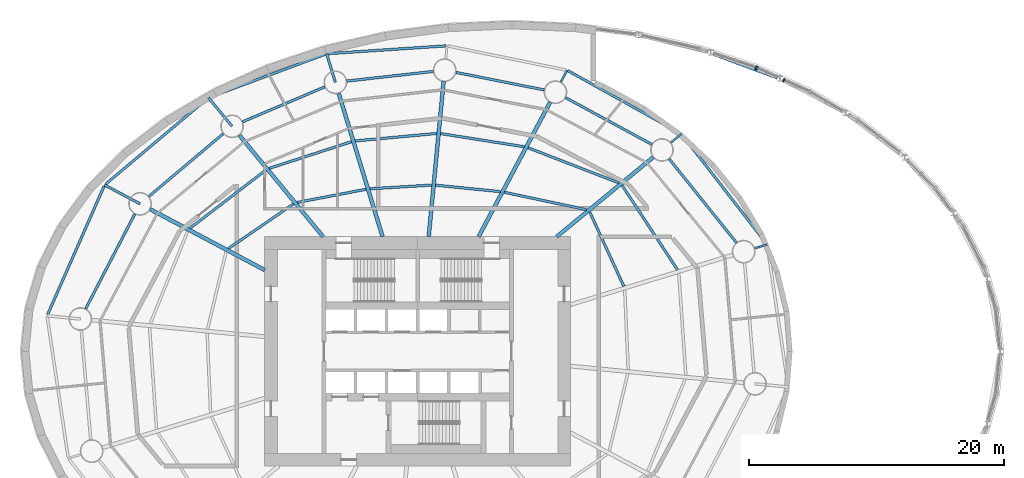
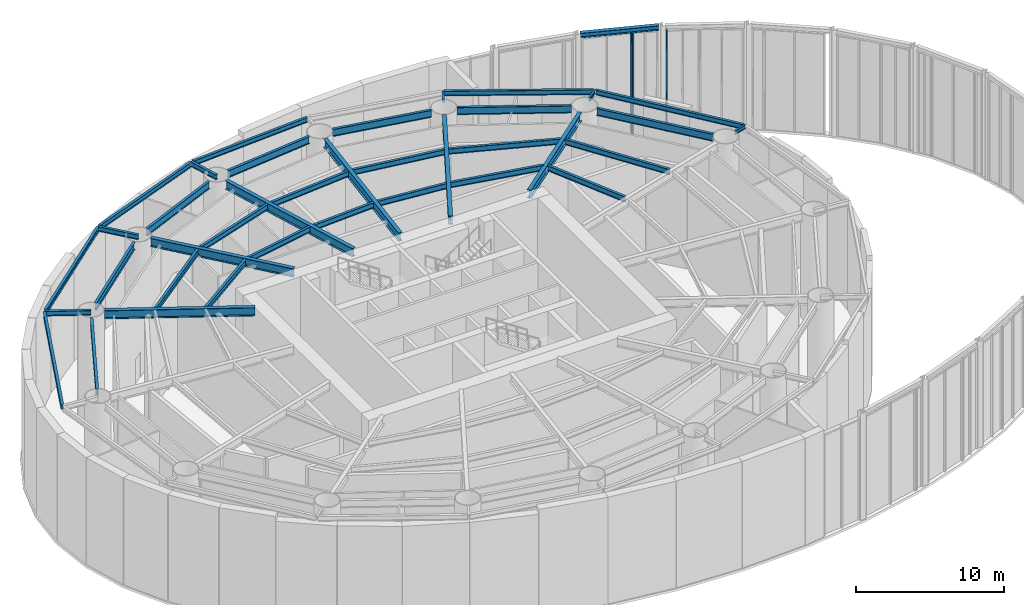
# One storey, part 6 of 19: 38 beams, 3 members, 3 elements without a shape of their own.
"""IFC4 building model written with IfcOpenShell, lengths in metres."""

from ifc_helpers import new_model, si_unit, direction, frame, origin, origin_2d, place, context, subcontext, project, spatial, rectangle, i_section, extrude, material, material_profile, profile_set, type_object, element, aggregate, save


model = new_model("IFC4")

# Units and contexts
model_context = context("Model", 3, precision=1e-05, world=origin(), true_north=direction((0.0, 1.0)))
body_context = subcontext(model_context, "Body", "Model", "MODEL_VIEW")
ifc_project = project(units=[si_unit("LENGTHUNIT", "METRE"), si_unit("AREAUNIT", "SQUARE_METRE"), si_unit("VOLUMEUNIT", "CUBIC_METRE"), si_unit("PLANEANGLEUNIT", "RADIAN"), si_unit("MASSUNIT", "GRAM", prefix="KILO")], contexts=[model_context])

# Site, building, storey
site_placement = place(None, origin())
site = spatial("IfcSite", under=ifc_project, at=site_placement, CompositionType="ELEMENT")
building_placement = place(site_placement, origin())
building = spatial("IfcBuilding", under=site, at=building_placement, Name="Vermilion Reach Broadcast Tower", CompositionType="ELEMENT")
storey_placement = place(building_placement, frame((0.0, 0.0, 17.0)))
storey = spatial("IfcBuildingStorey", under=building, at=storey_placement, Name="L02", CompositionType="ELEMENT", Elevation=17.0)

# Curtain wall, member
ifc_material_1 = material(Name="Low-e laminated clear glass in aluminium frame", Category="aluminium")
curtain_wall_type = type_object("IfcCurtainWallType", Name="Atrium outer wall curtain wall", PredefinedType="NOTDEFINED", material=ifc_material_1)
placement = place(storey_placement, origin())
curtain_wall_1 = element("IfcCurtainWall", 1, at=placement, inside=storey, type_object=curtain_wall_type, Name="Atrium wall L02 19-1", PredefinedType="NOTDEFINED")
ifc_material_2 = material(Name="Anodised aluminium", Category="aluminium")
ifc_material_profile_1 = material_profile(ifc_material_2, rectangle(XDim=0.300048828125, YDim=0.10009765625, at=origin_2d()), Name="Atrium outer wall mullion 100 x 300")
ifc_profile_set_1 = profile_set([ifc_material_profile_1], Name="Anodised aluminium")
member_type = type_object("IfcMemberType", Name="Atrium outer wall mullion 100 x 300", PredefinedType="MULLION", material=ifc_profile_set_1)
member_1_placement = place(storey_placement, frame((22.726806640625, 21.276123046875, 0.0), z_axis=(0.0, 0.0, 1.0), x_axis=(-0.410407876277, -0.911902064418, 0.0)))
member_1 = element("IfcMember", 2, at=member_1_placement, type_object=member_type, Name="Atrium wall mullion L02 19-1.3", PredefinedType="MULLION", context=body_context, shape_type="SweptSolid", body=[
    extrude(rectangle(XDim=0.300048828125, YDim=0.10009765625, at=origin_2d()), origin(), (0.0, 0.0, 1.0), 8.409912109375),
])
aggregate(curtain_wall_1, [member_1])

curtain_wall_2 = element("IfcCurtainWall", 3, at=placement, inside=storey, type_object=curtain_wall_type, Name="Atrium wall L02 19-2", PredefinedType="NOTDEFINED")
member_2_placement = place(storey_placement, frame((20.636962890625, 22.216552734375, 0.0), z_axis=(0.0, 0.0, 1.0), x_axis=(-0.410407876277, -0.911902064418, 0.0)))
member_2 = element("IfcMember", 4, at=member_2_placement, type_object=member_type, Name="Atrium wall mullion L02 19-2.3", PredefinedType="MULLION", context=body_context, shape_type="SweptSolid", body=[
    extrude(rectangle(XDim=0.300048828125, YDim=0.10009765625, at=origin_2d()), origin(), (0.0, 0.0, 1.0), 8.409912109375),
])
aggregate(curtain_wall_2, [member_2])

curtain_wall_3 = element("IfcCurtainWall", 5, at=placement, inside=storey, type_object=curtain_wall_type, Name="Atrium wall L02 20-1", PredefinedType="NOTDEFINED")
member_3_placement = place(storey_placement, frame((20.5439453125, 22.2529296875, 0.0), z_axis=(0.0, 0.0, 1.0), x_axis=(-0.315228098746, -0.949015935462, 0.0)))
member_3 = element("IfcMember", 6, at=member_3_placement, type_object=member_type, Name="Atrium wall mullion L02 20-1.1", PredefinedType="MULLION", context=body_context, shape_type="SweptSolid", body=[
    extrude(rectangle(XDim=0.300048828125, YDim=0.10009765625, at=origin_2d()), origin(), (0.0, 0.0, 1.0), 8.409912109375),
])
aggregate(curtain_wall_3, [member_3])

# Beams
ifc_material_3 = material(Name="Steel S355J2", Category="steel")
ifc_material_profile_2 = material_profile(ifc_material_3, i_section(OverallWidth=0.199951171875, OverallDepth=0.39990234375, WebThickness=0.008056640625, FlangeThickness=0.012939453125, at=origin_2d()), Name="S355J2 HN 400x200x8x13")
ifc_profile_set_2 = profile_set([ifc_material_profile_2], Name="Steel S355J2")
beam_type_1 = type_object("IfcBeamType", Name="EB1 HN 400x200x8x13", PredefinedType="BEAM", material=ifc_profile_set_2)
beam_1_placement = place(storey_placement, frame((21.365234375, 8.449951171875, 8.60009765625), z_axis=(-0.612374307057, 0.790567965488, 0.0), x_axis=(-0.790567965488, -0.612374307057, 0.0)))
element("IfcBeam", 7, at=beam_1_placement, inside=storey, type_object=beam_type_1, Name="Edge beam EB1-01", PredefinedType="BEAM", context=body_context, shape_type="SweptSolid", body=[
    extrude(i_section(OverallWidth=0.199951171875, OverallDepth=0.39990234375, WebThickness=0.008056640625, FlangeThickness=0.012939453125, at=origin_2d()), origin(), (0.0, 0.0, 1.0), 10.821044921875),
])
beam_2_placement = place(storey_placement, frame((14.62255859375, 17.10302734375, 8.60009765625), z_axis=(-0.873686455295, 0.486489442674, 0.0), x_axis=(-0.486489442674, -0.873686455295, 0.0)))
element("IfcBeam", 8, at=beam_2_placement, inside=storey, type_object=beam_type_1, Name="Edge beam EB1-02", PredefinedType="BEAM", context=body_context, shape_type="SweptSolid", body=[
    extrude(i_section(OverallWidth=0.199951171875, OverallDepth=0.39990234375, WebThickness=0.008056640625, FlangeThickness=0.012939453125, at=origin_2d()), origin(), (0.0, 0.0, 1.0), 10.110595703125),
])
beam_3_placement = place(storey_placement, frame((-3.771484375, 23.97119140625, 8.60009765625), z_axis=(-0.997825669163, -0.065908527213, 0.0), x_axis=(0.065908527213, -0.997825669163, 0.0)))
element("IfcBeam", 9, at=beam_3_placement, inside=storey, type_object=beam_type_1, Name="Edge beam EB1-04", PredefinedType="BEAM", context=body_context, shape_type="SweptSolid", body=[
    extrude(i_section(OverallWidth=0.199951171875, OverallDepth=0.39990234375, WebThickness=0.008056640625, FlangeThickness=0.012939453125, at=origin_2d()), origin(), (0.0, 0.0, 1.0), 9.290283203125),
])
beam_4_placement = place(storey_placement, frame((-13.23779296875, 23.3173828125, 8.60009765625), z_axis=(-0.9372716621, -0.348599815582, 0.0), x_axis=(0.348599815582, -0.9372716621, 0.0)))
element("IfcBeam", 10, at=beam_4_placement, inside=storey, type_object=beam_type_1, Name="Edge beam EB1-05", PredefinedType="BEAM", context=body_context, shape_type="SweptSolid", body=[
    extrude(i_section(OverallWidth=0.199951171875, OverallDepth=0.39990234375, WebThickness=0.008056640625, FlangeThickness=0.012939453125, at=origin_2d()), origin(), (0.0, 0.0, 1.0), 9.684326171875),
])
beam_5_placement = place(storey_placement, frame((-22.490478515625, 19.840087890625, 8.60009765625), z_axis=(-0.765453208317, -0.643491558513, 0.0), x_axis=(0.643491558513, -0.765453208317, 0.0)))
element("IfcBeam", 11, at=beam_5_placement, inside=storey, type_object=beam_type_1, Name="Edge beam EB1-06", PredefinedType="BEAM", context=body_context, shape_type="SweptSolid", body=[
    extrude(i_section(OverallWidth=0.199951171875, OverallDepth=0.39990234375, WebThickness=0.008056640625, FlangeThickness=0.012939453125, at=origin_2d()), origin(), (0.0, 0.0, 1.0), 10.437255859375),
])
beam_6_placement = place(storey_placement, frame((-30.6025390625, 12.962646484375, 8.60009765625), z_axis=(-0.402751254677, -0.915309470538, 0.0), x_axis=(0.915309470538, -0.402751254677, 0.0)))
element("IfcBeam", 12, at=beam_6_placement, inside=storey, type_object=beam_type_1, Name="Edge beam EB1-07", PredefinedType="BEAM", context=body_context, shape_type="SweptSolid", body=[
    extrude(i_section(OverallWidth=0.199951171875, OverallDepth=0.39990234375, WebThickness=0.008056640625, FlangeThickness=0.012939453125, at=origin_2d()), origin(), (0.0, 0.0, 1.0), 11.00341796875),
])
ifc_material_4 = material(Name="Steel S355J2", Category="steel")
ifc_material_profile_3 = material_profile(ifc_material_4, i_section(OverallWidth=0.300048828125, OverallDepth=0.699951171875, WebThickness=0.012939453125, FlangeThickness=0.02392578125, at=origin_2d()), Name="S355J2 HN 700x300x13x24")
ifc_profile_set_3 = profile_set([ifc_material_profile_3], Name="Steel S355J2")
beam_type_2 = type_object("IfcBeamType", Name="G1 HN 700x300x13x24", PredefinedType="BEAM", material=ifc_profile_set_3)
beam_7_placement = place(storey_placement, frame((4.9140625, 9.0, 8.449951171875), z_axis=(0.771514256373, 0.636212034005, 0.0), x_axis=(-0.636212034005, 0.771514256373, 0.0)))
element("IfcBeam", 13, at=beam_7_placement, inside=storey, type_object=beam_type_2, Name="Girder G1-02", PredefinedType="BEAM", context=body_context, shape_type="SweptSolid", body=[
    extrude(i_section(OverallWidth=0.300048828125, OverallDepth=0.699951171875, WebThickness=0.012939453125, FlangeThickness=0.02392578125, at=origin_2d()), origin(), (0.0, 0.0, 1.0), 9.796142578125),
])
beam_8_placement = place(storey_placement, frame((-1.216552734375, 9.0, 8.449951171875), z_axis=(0.469312182262, 0.883032318537, 0.0), x_axis=(-0.883032318537, 0.469312182262, 0.0)))
element("IfcBeam", 14, at=beam_8_placement, inside=storey, type_object=beam_type_2, Name="Girder G1-03", PredefinedType="BEAM", context=body_context, shape_type="SweptSolid", body=[
    extrude(i_section(OverallWidth=0.300048828125, OverallDepth=0.699951171875, WebThickness=0.012939453125, FlangeThickness=0.02392578125, at=origin_2d()), origin(), (0.0, 0.0, 1.0), 11.94091796875),
])
beam_9_placement = place(storey_placement, frame((-5.135009765625, 9.0, 8.449951171875), z_axis=(0.09566673912, 0.995413419151, 0.0), x_axis=(-0.995413419151, 0.09566673912, 0.0)))
element("IfcBeam", 15, at=beam_9_placement, inside=storey, type_object=beam_type_2, Name="Girder G1-04", PredefinedType="BEAM", context=body_context, shape_type="SweptSolid", body=[
    extrude(i_section(OverallWidth=0.300048828125, OverallDepth=0.699951171875, WebThickness=0.012939453125, FlangeThickness=0.02392578125, at=origin_2d()), origin(), (0.0, 0.0, 1.0), 12.22412109375),
])
beam_10_placement = place(storey_placement, frame((-8.753173828125, 9.0, 8.449951171875), z_axis=(-0.292542302886, 0.95625258223, 0.0), x_axis=(-0.95625258223, -0.292542302886, 0.0)))
element("IfcBeam", 16, at=beam_10_placement, inside=storey, type_object=beam_type_2, Name="Girder G1-05", PredefinedType="BEAM", context=body_context, shape_type="SweptSolid", body=[
    extrude(i_section(OverallWidth=0.300048828125, OverallDepth=0.699951171875, WebThickness=0.012939453125, FlangeThickness=0.02392578125, at=origin_2d()), origin(), (0.0, 0.0, 1.0), 11.76220703125),
])
beam_11_placement = place(storey_placement, frame((-13.421630859375, 9.0, 8.449951171875), z_axis=(-0.636215165107, 0.77151167437, 0.0), x_axis=(-0.77151167437, -0.636215165107, 0.0)))
element("IfcBeam", 17, at=beam_11_placement, inside=storey, type_object=beam_type_2, Name="Girder G1-06", PredefinedType="BEAM", context=body_context, shape_type="SweptSolid", body=[
    extrude(i_section(OverallWidth=0.300048828125, OverallDepth=0.699951171875, WebThickness=0.012939453125, FlangeThickness=0.02392578125, at=origin_2d()), origin(), (0.0, 0.0, 1.0), 10.3251953125),
])
beam_12_placement = place(storey_placement, frame((-18.0, 6.3779296875, 8.449951171875), z_axis=(-0.883032139419, 0.469312519279, 0.0), x_axis=(-0.469312519279, -0.883032139419, 0.0)))
element("IfcBeam", 18, at=beam_12_placement, inside=storey, type_object=beam_type_2, Name="Girder G1-07", PredefinedType="BEAM", context=body_context, shape_type="SweptSolid", body=[
    extrude(i_section(OverallWidth=0.300048828125, OverallDepth=0.699951171875, WebThickness=0.012939453125, FlangeThickness=0.02392578125, at=origin_2d()), origin(), (0.0, 0.0, 1.0), 10.17529296875),
])
ifc_material_5 = material(Name="Steel S355J2", Category="steel")
ifc_material_profile_4 = material_profile(ifc_material_5, i_section(OverallWidth=0.199951171875, OverallDepth=0.39990234375, WebThickness=0.008056640625, FlangeThickness=0.012939453125, at=origin_2d()), Name="S355J2 HN 400x200x8x13")
ifc_profile_set_4 = profile_set([ifc_material_profile_4], Name="Steel S355J2")
beam_type_3 = type_object("IfcBeamType", Name="GC1 HN 400x200x8x13", PredefinedType="BEAM", material=ifc_profile_set_4)
beam_13_placement = place(storey_placement, frame((-12.45751953125, 21.108154296875, 8.60009765625), z_axis=(-0.292535678809, 0.956254608681, 0.0), x_axis=(-0.956254608681, -0.292535678809, 0.0)))
element("IfcBeam", 19, at=beam_13_placement, inside=storey, type_object=beam_type_3, Name="Cantilever girder GC1-05", PredefinedType="BEAM", context=body_context, shape_type="SweptSolid", body=[
    extrude(i_section(OverallWidth=0.199951171875, OverallDepth=0.39990234375, WebThickness=0.008056640625, FlangeThickness=0.012939453125, at=origin_2d()), origin(), (0.0, 0.0, 1.0), 2.346923828125),
])
beam_14_placement = place(storey_placement, frame((-20.563232421875, 17.660400390625, 8.60009765625), z_axis=(-0.636213137876, 0.771513346089, 0.0), x_axis=(-0.771513346089, -0.636213137876, 0.0)))
element("IfcBeam", 20, at=beam_14_placement, inside=storey, type_object=beam_type_3, Name="Cantilever girder GC1-06", PredefinedType="BEAM", context=body_context, shape_type="SweptSolid", body=[
    extrude(i_section(OverallWidth=0.199951171875, OverallDepth=0.39990234375, WebThickness=0.008056640625, FlangeThickness=0.012939453125, at=origin_2d()), origin(), (0.0, 0.0, 1.0), 2.90869140625),
])
beam_15_placement = place(storey_placement, frame((-27.77978515625, 11.57568359375, 8.60009765625), z_axis=(-0.8830404704, 0.469296843837, 0.0), x_axis=(-0.469296843837, -0.8830404704, 0.0)))
element("IfcBeam", 21, at=beam_15_placement, inside=storey, type_object=beam_type_3, Name="Cantilever girder GC1-07", PredefinedType="BEAM", context=body_context, shape_type="SweptSolid", body=[
    extrude(i_section(OverallWidth=0.199951171875, OverallDepth=0.39990234375, WebThickness=0.008056640625, FlangeThickness=0.012939453125, at=origin_2d()), origin(), (0.0, 0.0, 1.0), 3.151123046875),
])
ifc_material_6 = material(Name="Steel S355J2", Category="steel")
ifc_material_profile_5 = material_profile(ifc_material_6, i_section(OverallWidth=0.14990234375, OverallDepth=0.300048828125, WebThickness=0.006591796875, FlangeThickness=0.009033203125, at=origin_2d()), Name="S355J2 HN 300x150x6.5x9")
ifc_profile_set_5 = profile_set([ifc_material_profile_5], Name="Steel S355J2")
beam_type_4 = type_object("IfcBeamType", Name="GS1 HN 300x150x6.5x9", PredefinedType="BEAM", material=ifc_profile_set_5)
beam_16_placement = place(storey_placement, frame((20.43603515625, 8.08740234375, 8.64990234375), z_axis=(0.956262624381, 0.292509475422, 0.0), x_axis=(-0.292509475422, 0.956262624381, 0.0)))
element("IfcBeam", 22, at=beam_16_placement, inside=storey, type_object=beam_type_4, Name="Cantilever stub GS1-01", PredefinedType="BEAM", context=body_context, shape_type="SweptSolid", body=[
    extrude(i_section(OverallWidth=0.14990234375, OverallDepth=0.300048828125, WebThickness=0.006591796875, FlangeThickness=0.009033203125, at=origin_2d()), origin(), (0.0, 0.0, 1.0), 1.023193359375),
])
beam_17_placement = place(storey_placement, frame((13.860595703125, 16.377685546875, 8.64990234375), z_axis=(0.771531570629, 0.636191036972, 0.0), x_axis=(-0.636191036972, 0.771531570629, 0.0)))
element("IfcBeam", 23, at=beam_17_placement, inside=storey, type_object=beam_type_4, Name="Cantilever stub GS1-02", PredefinedType="BEAM", context=body_context, shape_type="SweptSolid", body=[
    extrude(i_section(OverallWidth=0.14990234375, OverallDepth=0.300048828125, WebThickness=0.006591796875, FlangeThickness=0.009033203125, at=origin_2d()), origin(), (0.0, 0.0, 1.0), 1.07861328125),
])
beam_18_placement = place(storey_placement, frame((5.232177734375, 21.1337890625, 8.64990234375), z_axis=(0.469462125124, 0.882952610888, 0.0), x_axis=(-0.882952610888, 0.469462125124, 0.0)))
element("IfcBeam", 24, at=beam_18_placement, inside=storey, type_object=beam_type_4, Name="Cantilever stub GS1-03", PredefinedType="BEAM", context=body_context, shape_type="SweptSolid", body=[
    extrude(i_section(OverallWidth=0.14990234375, OverallDepth=0.300048828125, WebThickness=0.006591796875, FlangeThickness=0.009033203125, at=origin_2d()), origin(), (0.0, 0.0, 1.0), 1.046875),
])
ifc_material_7 = material(Name="Steel S355J2", Category="steel")
ifc_material_profile_6 = material_profile(ifc_material_7, i_section(OverallWidth=0.199951171875, OverallDepth=0.60009765625, WebThickness=0.010986328125, FlangeThickness=0.01708984375, at=origin_2d()), Name="S355J2 HN 600x200x11x17")
ifc_profile_set_6 = profile_set([ifc_material_profile_6], Name="Steel S355J2")
beam_type_5 = type_object("IfcBeamType", Name="RB1 HN 600x200x11x17", PredefinedType="BEAM", material=ifc_profile_set_6)
beam_19_placement = place(storey_placement, frame((19.011962890625, 8.52587890625, 8.5), z_axis=(-0.626162157191, 0.779692858055, 0.0), x_axis=(-0.779692858055, -0.626162157191, 0.0)))
element("IfcBeam", 25, at=beam_19_placement, inside=storey, type_object=beam_type_5, Name="Ring beam RB1-01", PredefinedType="BEAM", context=body_context, shape_type="SweptSolid", body=[
    extrude(i_section(OverallWidth=0.199951171875, OverallDepth=0.60009765625, WebThickness=0.010986328125, FlangeThickness=0.01708984375, at=origin_2d()), origin(), (0.0, 0.0, 1.0), 8.435791015625),
])
beam_20_placement = place(storey_placement, frame((12.375244140625, 16.234130859375, 8.5), z_axis=(-0.878962319551, 0.476891225344, 0.0), x_axis=(-0.476891225344, -0.878962319551, 0.0)))
element("IfcBeam", 26, at=beam_20_placement, inside=storey, type_object=beam_type_5, Name="Ring beam RB1-02", PredefinedType="BEAM", context=body_context, shape_type="SweptSolid", body=[
    extrude(i_section(OverallWidth=0.199951171875, OverallDepth=0.60009765625, WebThickness=0.010986328125, FlangeThickness=0.01708984375, at=origin_2d()), origin(), (0.0, 0.0, 1.0), 7.707275390625),
])
beam_21_placement = place(storey_placement, frame((3.927001953125, 20.51416015625, 8.5), z_axis=(-0.980857717995, 0.194725799651, 0.0), x_axis=(-0.194725799651, -0.980857717995, 0.0)))
element("IfcBeam", 27, at=beam_21_placement, inside=storey, type_object=beam_type_5, Name="Ring beam RB1-03", PredefinedType="BEAM", context=body_context, shape_type="SweptSolid", body=[
    extrude(i_section(OverallWidth=0.199951171875, OverallDepth=0.60009765625, WebThickness=0.010986328125, FlangeThickness=0.01708984375, at=origin_2d()), origin(), (0.0, 0.0, 1.0), 7.05859375),
])
beam_22_placement = place(storey_placement, frame((-4.77392578125, 21.964111328125, 8.5), z_axis=(-0.993851439324, -0.110721798009, 0.0), x_axis=(0.110721798009, -0.993851439324, 0.0)))
element("IfcBeam", 28, at=beam_22_placement, inside=storey, type_object=beam_type_5, Name="Ring beam RB1-04", PredefinedType="BEAM", context=body_context, shape_type="SweptSolid", body=[
    extrude(i_section(OverallWidth=0.199951171875, OverallDepth=0.60009765625, WebThickness=0.010986328125, FlangeThickness=0.01708984375, at=origin_2d()), origin(), (0.0, 0.0, 1.0), 6.8310546875),
])
beam_23_placement = place(storey_placement, frame((-13.28564453125, 20.755859375, 8.5), z_axis=(-0.920220846584, -0.391399531825, 0.0), x_axis=(0.391399531825, -0.920220846584, 0.0)))
element("IfcBeam", 29, at=beam_23_placement, inside=storey, type_object=beam_type_5, Name="Ring beam RB1-05", PredefinedType="BEAM", context=body_context, shape_type="SweptSolid", body=[
    extrude(i_section(OverallWidth=0.199951171875, OverallDepth=0.60009765625, WebThickness=0.010986328125, FlangeThickness=0.01708984375, at=origin_2d()), origin(), (0.0, 0.0, 1.0), 7.008544921875),
])
beam_24_placement = place(storey_placement, frame((-21.251220703125, 17.080322265625, 8.5), z_axis=(-0.764512441084, -0.6446089725, 0.0), x_axis=(0.6446089725, -0.764512441084, 0.0)))
element("IfcBeam", 30, at=beam_24_placement, inside=storey, type_object=beam_type_5, Name="Ring beam RB1-06", PredefinedType="BEAM", context=body_context, shape_type="SweptSolid", body=[
    extrude(i_section(OverallWidth=0.199951171875, OverallDepth=0.60009765625, WebThickness=0.010986328125, FlangeThickness=0.01708984375, at=origin_2d()), origin(), (0.0, 0.0, 1.0), 7.6396484375),
])
beam_25_placement = place(storey_placement, frame((-28.194091796875, 10.776611328125, 8.5), z_axis=(-0.460411617218, -0.887705549566, 0.0), x_axis=(0.887705549566, -0.460411617218, 0.0)))
element("IfcBeam", 31, at=beam_25_placement, inside=storey, type_object=beam_type_5, Name="Ring beam RB1-07", PredefinedType="BEAM", context=body_context, shape_type="SweptSolid", body=[
    extrude(i_section(OverallWidth=0.199951171875, OverallDepth=0.60009765625, WebThickness=0.010986328125, FlangeThickness=0.01708984375, at=origin_2d()), origin(), (0.0, 0.0, 1.0), 8.37451171875),
])
ifc_material_8 = material(Name="Steel S355J2", Category="steel")
ifc_material_profile_7 = material_profile(ifc_material_8, i_section(OverallWidth=0.300048828125, OverallDepth=0.389892578125, WebThickness=0.010009765625, FlangeThickness=0.01611328125, at=origin_2d()), Name="S355J2 HM 390x300x10x16")
ifc_profile_set_7 = profile_set([ifc_material_profile_7], Name="Steel S355J2")
beam_type_6 = type_object("IfcBeamType", Name="RM1 HM 390x300x10x16", PredefinedType="BEAM", material=ifc_profile_set_7)
beam_26_placement = place(storey_placement, frame((22.22509765625, 21.485595703125, 8.60498046875), z_axis=(-0.937250522131, 0.348656648818, 0.0), x_axis=(-0.348656648818, -0.937250522131, 0.0)))
element("IfcBeam", 32, at=beam_26_placement, inside=storey, type_object=beam_type_6, Name="Rim beam AP13-AP14", PredefinedType="BEAM", context=body_context, shape_type="SweptSolid", body=[
    extrude(i_section(OverallWidth=0.300048828125, OverallDepth=0.389892578125, WebThickness=0.010009765625, FlangeThickness=0.01611328125, at=origin_2d()), origin(), (0.0, 0.0, 1.0), 5.37158203125),
])
ifc_material_9 = material(Name="Steel S355J2", Category="steel")
ifc_material_profile_8 = material_profile(ifc_material_9, i_section(OverallWidth=0.199951171875, OverallDepth=0.449951171875, WebThickness=0.009033203125, FlangeThickness=0.013916015625, at=origin_2d()), Name="S355J2 HN 450x200x9x14")
ifc_profile_set_8 = profile_set([ifc_material_profile_8], Name="Steel S355J2")
beam_type_7 = type_object("IfcBeamType", Name="SB1 HN 450x200x9x14", PredefinedType="BEAM", material=ifc_profile_set_8)
beam_27_placement = place(storey_placement, frame((10.175048828125, 5.105224609375, 8.574951171875), z_axis=(-0.417211452529, 0.908809443106, 0.0), x_axis=(-0.908809443106, -0.417211452529, 0.0)))
element("IfcBeam", 33, at=beam_27_placement, inside=storey, type_object=beam_type_7, Name="Secondary beam SB1-01-1", PredefinedType="BEAM", context=body_context, shape_type="SweptSolid", body=[
    extrude(i_section(OverallWidth=0.199951171875, OverallDepth=0.449951171875, WebThickness=0.009033203125, FlangeThickness=0.013916015625, at=origin_2d()), origin(), (0.0, 0.0, 1.0), 6.41650390625),
])
beam_28_placement = place(storey_placement, frame((14.390625, 6.394775390625, 8.574951171875), z_axis=(-0.548800909102, 0.835953086105, 0.0), x_axis=(-0.835953086105, -0.548800909102, 0.0)))
element("IfcBeam", 34, at=beam_28_placement, inside=storey, type_object=beam_type_7, Name="Secondary beam SB1-01-2", PredefinedType="BEAM", context=body_context, shape_type="SweptSolid", body=[
    extrude(i_section(OverallWidth=0.199951171875, OverallDepth=0.449951171875, WebThickness=0.009033203125, FlangeThickness=0.013916015625, at=origin_2d()), origin(), (0.0, 0.0, 1.0), 7.935791015625),
])
beam_29_placement = place(storey_placement, frame((7.24560546875, 11.1171875, 8.574951171875), z_axis=(-0.978270372412, 0.207333254596, 0.0), x_axis=(-0.207333254596, -0.978270372412, 0.0)))
element("IfcBeam", 35, at=beam_29_placement, inside=storey, type_object=beam_type_7, Name="Secondary beam SB1-02-1", PredefinedType="BEAM", context=body_context, shape_type="SweptSolid", body=[
    extrude(i_section(OverallWidth=0.199951171875, OverallDepth=0.449951171875, WebThickness=0.009033203125, FlangeThickness=0.013916015625, at=origin_2d()), origin(), (0.0, 0.0, 1.0), 6.584716796875),
])
beam_30_placement = place(storey_placement, frame((9.7919921875, 13.217041015625, 8.574951171875), z_axis=(-0.932680743753, 0.360702966765, 0.0), x_axis=(-0.360702966765, -0.932680743753, 0.0)))
element("IfcBeam", 36, at=beam_30_placement, inside=storey, type_object=beam_type_7, Name="Secondary beam SB1-02-2", PredefinedType="BEAM", context=body_context, shape_type="SweptSolid", body=[
    extrude(i_section(OverallWidth=0.199951171875, OverallDepth=0.449951171875, WebThickness=0.009033203125, FlangeThickness=0.013916015625, at=origin_2d()), origin(), (0.0, 0.0, 1.0), 7.646240234375),
])
beam_31_placement = place(storey_placement, frame((0.490234375, 12.531005859375, 8.574951171875), z_axis=(-0.995010199331, 0.099773259079, 0.0), x_axis=(-0.099773259079, -0.995010199331, 0.0)))
element("IfcBeam", 37, at=beam_31_placement, inside=storey, type_object=beam_type_7, Name="Secondary beam SB1-03-1", PredefinedType="BEAM", context=body_context, shape_type="SweptSolid", body=[
    extrude(i_section(OverallWidth=0.199951171875, OverallDepth=0.449951171875, WebThickness=0.009033203125, FlangeThickness=0.013916015625, at=origin_2d()), origin(), (0.0, 0.0, 1.0), 5.111572265625),
])
beam_32_placement = place(storey_placement, frame((2.36279296875, 16.05419921875, 8.574951171875), z_axis=(-0.987829548379, 0.155540294938, 0.0), x_axis=(-0.155540294938, -0.987829548379, 0.0)))
element("IfcBeam", 38, at=beam_32_placement, inside=storey, type_object=beam_type_7, Name="Secondary beam SB1-03-2", PredefinedType="BEAM", context=body_context, shape_type="SweptSolid", body=[
    extrude(i_section(OverallWidth=0.199951171875, OverallDepth=0.449951171875, WebThickness=0.009033203125, FlangeThickness=0.013916015625, at=origin_2d()), origin(), (0.0, 0.0, 1.0), 6.650634765625),
])
beam_33_placement = place(storey_placement, frame((-4.896728515625, 13.046875, 8.574951171875), z_axis=(-0.99823410974, -0.059402543307, 0.0), x_axis=(0.059402543307, -0.99823410974, 0.0)))
element("IfcBeam", 39, at=beam_33_placement, inside=storey, type_object=beam_type_7, Name="Secondary beam SB1-04-1", PredefinedType="BEAM", context=body_context, shape_type="SweptSolid", body=[
    extrude(i_section(OverallWidth=0.199951171875, OverallDepth=0.449951171875, WebThickness=0.009033203125, FlangeThickness=0.013916015625, at=origin_2d()), origin(), (0.0, 0.0, 1.0), 4.85791015625),
])
beam_34_placement = place(storey_placement, frame((-4.50732421875, 17.09814453125, 8.574951171875), z_axis=(-0.995818616382, -0.091352521952, 0.0), x_axis=(0.091352521952, -0.995818616382, 0.0)))
element("IfcBeam", 40, at=beam_34_placement, inside=storey, type_object=beam_type_7, Name="Secondary beam SB1-04-2", PredefinedType="BEAM", context=body_context, shape_type="SweptSolid", body=[
    extrude(i_section(OverallWidth=0.199951171875, OverallDepth=0.449951171875, WebThickness=0.009033203125, FlangeThickness=0.013916015625, at=origin_2d()), origin(), (0.0, 0.0, 1.0), 6.4140625),
])
beam_35_placement = place(storey_placement, frame((-10.04833984375, 12.720703125, 8.574951171875), z_axis=(-0.982151348822, -0.188092339045, 0.0), x_axis=(0.188092339045, -0.982151348822, 0.0)))
element("IfcBeam", 41, at=beam_35_placement, inside=storey, type_object=beam_type_7, Name="Secondary beam SB1-05-1", PredefinedType="BEAM", context=body_context, shape_type="SweptSolid", body=[
    extrude(i_section(OverallWidth=0.199951171875, OverallDepth=0.449951171875, WebThickness=0.009033203125, FlangeThickness=0.013916015625, at=origin_2d()), origin(), (0.0, 0.0, 1.0), 5.4931640625),
])
beam_36_placement = place(storey_placement, frame((-11.18994140625, 16.4521484375, 8.574951171875), z_axis=(-0.951332300844, -0.308166924523, 0.0), x_axis=(0.308166924523, -0.951332300844, 0.0)))
element("IfcBeam", 42, at=beam_36_placement, inside=storey, type_object=beam_type_7, Name="Secondary beam SB1-05-2", PredefinedType="BEAM", context=body_context, shape_type="SweptSolid", body=[
    extrude(i_section(OverallWidth=0.199951171875, OverallDepth=0.449951171875, WebThickness=0.009033203125, FlangeThickness=0.013916015625, at=origin_2d()), origin(), (0.0, 0.0, 1.0), 6.787841796875),
])
beam_37_placement = place(storey_placement, frame((-15.735595703125, 11.5703125, 8.574951171875), z_axis=(-0.825140253447, -0.564927926502, 0.0), x_axis=(0.564927926502, -0.825140253447, 0.0)))
element("IfcBeam", 43, at=beam_37_placement, inside=storey, type_object=beam_type_7, Name="Secondary beam SB1-06-1", PredefinedType="BEAM", context=body_context, shape_type="SweptSolid", body=[
    extrude(i_section(OverallWidth=0.199951171875, OverallDepth=0.449951171875, WebThickness=0.009033203125, FlangeThickness=0.013916015625, at=origin_2d()), origin(), (0.0, 0.0, 1.0), 6.20458984375),
])
beam_38_placement = place(storey_placement, frame((-17.920166015625, 14.21923828125, 8.574951171875), z_axis=(-0.793349617473, -0.60876628065, 0.0), x_axis=(0.60876628065, -0.793349617473, 0.0)))
element("IfcBeam", 44, at=beam_38_placement, inside=storey, type_object=beam_type_7, Name="Secondary beam SB1-06-2", PredefinedType="BEAM", context=body_context, shape_type="SweptSolid", body=[
    extrude(i_section(OverallWidth=0.199951171875, OverallDepth=0.449951171875, WebThickness=0.009033203125, FlangeThickness=0.013916015625, at=origin_2d()), origin(), (0.0, 0.0, 1.0), 7.486328125),
])

save(model, "model.ifc")
